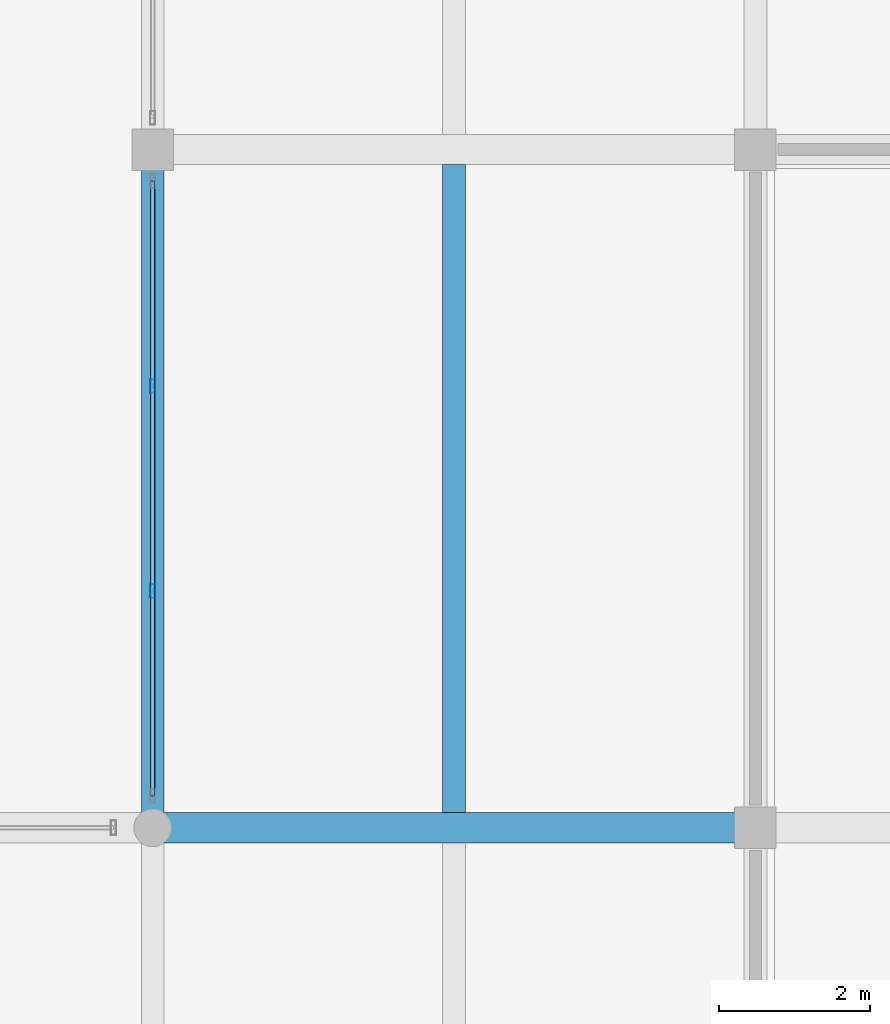
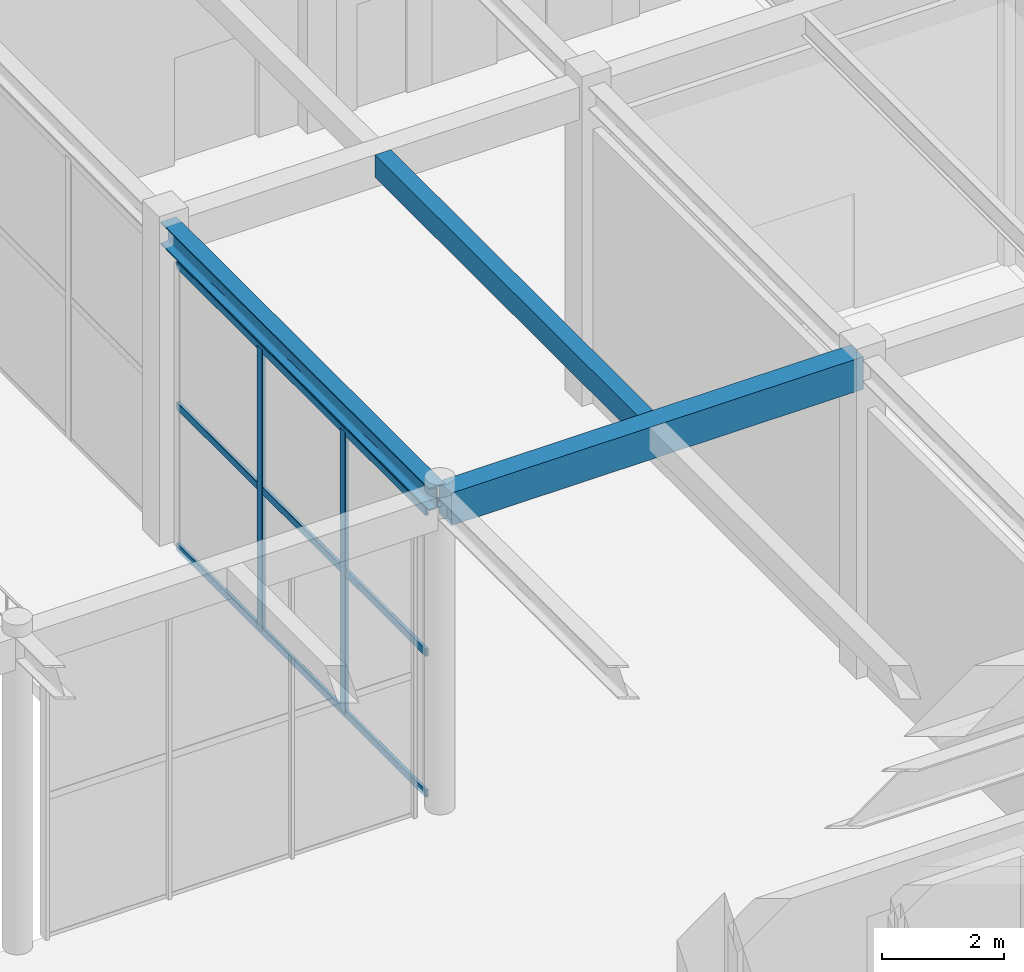
# One storey, part 82 of 163: 5 members, 3 beams, 1 element without a shape of its own.
"""IFC4 building model written with IfcOpenShell, lengths in metres."""

import ifcopenshell
import ifcopenshell.guid

model = None  # the IFC model being written
_history = None  # IfcOwnerHistory: only IFC2X3 demands one
_inside = {}  # id of a spatial element -> (the spatial element, [elements in it])
_under = {}  # id of a project, library or spatial element -> (it, [spatial elements below it])
_declared = {}  # id of a project -> (the project, [libraries it declares])
_typed = {}  # id of a type object -> (the type object, [elements of that type])
_made_of = {}  # id of a material, layer set ... -> (it, [elements and type objects made of it])


def new_model(schema):
    """Start an empty IFC model of exactly this schema.

    Asked for "IFC4X3", IfcOpenShell would pick the latest addendum, in which some entities
    have other attributes; the version numbers below select the first issue.
    IFC2X3 requires an IfcOwnerHistory on every rooted entity: one is made here for all.
    """
    global model, _history
    if schema == "IFC4X3":
        model = ifcopenshell.file(schema_version=(4, 3, 0, 0))
    else:
        model = ifcopenshell.file(schema=schema)
    _inside.clear()
    _under.clear()
    _declared.clear()
    _typed.clear()
    _made_of.clear()
    _history = None
    if model.schema == "IFC2X3":
        org = make("IfcOrganization", Name="unknown")
        user = make(
            "IfcPersonAndOrganization",
            ThePerson=make("IfcPerson", FamilyName="unknown"),
            TheOrganization=org,
        )
        app = make(
            "IfcApplication",
            ApplicationDeveloper=org,
            Version="unknown",
            ApplicationFullName="unknown",
            ApplicationIdentifier="unknown",
        )
        _history = make(
            "IfcOwnerHistory",
            OwningUser=user,
            OwningApplication=app,
            ChangeAction="ADDED",
            CreationDate=0,
        )
    return model


def make(cls, **values):
    """One entity of the class cls with the attributes given. An attribute that is None is left unset."""
    return model.create_entity(
        cls, **{name: value for name, value in values.items() if value is not None}
    )


def rooted(cls, **values):
    """An entity with a GlobalId (a new one), such as an element, a storey or a relation."""
    return make(cls, GlobalId=ifcopenshell.guid.new(), OwnerHistory=_history, **values)


def si_unit(unit_type, name, prefix=None):
    """IfcSIUnit, for example si_unit("LENGTHUNIT", "METRE", prefix="MILLI")."""
    return make("IfcSIUnit", UnitType=unit_type, Prefix=prefix, Name=name)


def assignment(units):
    """IfcUnitAssignment: the units of a project."""
    return None if units is None else make("IfcUnitAssignment", Units=units)


def point(xyz):
    """IfcCartesianPoint."""
    return None if xyz is None else make("IfcCartesianPoint", Coordinates=xyz)


def direction(xyz):
    """IfcDirection."""
    return None if xyz is None else make("IfcDirection", DirectionRatios=xyz)


def frame(location, z_axis=None, x_axis=None):
    """IfcAxis2Placement3D, a coordinate frame: its origin and axes. An axis left out is left unset."""
    return make(
        "IfcAxis2Placement3D",
        Location=point(location),
        Axis=direction(z_axis),
        RefDirection=direction(x_axis),
    )


def frame_2d(location, x_axis=None):
    """IfcAxis2Placement2D, a coordinate frame in the plane: its origin and x axis."""
    return make(
        "IfcAxis2Placement2D", Location=point(location), RefDirection=direction(x_axis)
    )


def origin():
    """The frame at (0, 0, 0) with its axes left unset."""
    return frame((0.0, 0.0, 0.0))


def origin_2d():
    """The frame at (0, 0) in the plane with its x axis left unset."""
    return frame_2d((0.0, 0.0))


def place(relative_to, where):
    """IfcLocalPlacement: puts the frame where relative to a parent placement (None: the world)."""
    return make(
        "IfcLocalPlacement", PlacementRelTo=relative_to, RelativePlacement=where
    )


def context(
    kind, dimensions, precision=None, world=None, true_north=None, identifier=None
):
    """IfcGeometricRepresentationContext, for example the 3D "Model" context."""
    return make(
        "IfcGeometricRepresentationContext",
        ContextIdentifier=identifier,
        ContextType=kind,
        CoordinateSpaceDimension=dimensions,
        Precision=precision,
        WorldCoordinateSystem=world,
        TrueNorth=true_north,
    )


def subcontext(parent, identifier, kind, view, scale=None):
    """IfcGeometricRepresentationSubContext, for example "Body" below "Model"."""
    return make(
        "IfcGeometricRepresentationSubContext",
        ContextIdentifier=identifier,
        ContextType=kind,
        ParentContext=parent,
        TargetScale=scale,
        TargetView=view,
    )


def project(units=None, contexts=None):
    """IfcProject with its units and contexts."""
    return rooted(
        "IfcProject",
        Name="project",
        RepresentationContexts=contexts,
        UnitsInContext=assignment(units),
    )


def spatial(cls, under=None, at=None, **own):
    """A site, building, storey or space (cls), placed at a placement, below another one or the project."""
    s = rooted(cls, ObjectPlacement=at, **own)
    if under is not None:
        _under.setdefault(under.id(), (under, []))[1].append(s)
    return s


def profile(cls, at=None, kind="AREA", **sizes):
    """A parametric profile (cls). Its sizes go by their IFC names, for example OverallWidth=200.0."""
    return make(cls, ProfileType=kind, Position=at, **sizes)


def rectangle(**sizes):
    """IfcRectangleProfileDef."""
    return profile("IfcRectangleProfileDef", **sizes)


def hollow_rectangle(**sizes):
    """IfcRectangleHollowProfileDef."""
    return profile("IfcRectangleHollowProfileDef", **sizes)


def i_section(**sizes):
    """IfcIShapeProfileDef."""
    return profile("IfcIShapeProfileDef", **sizes)


def extrude(swept, where, along, depth):
    """IfcExtrudedAreaSolid: the profile swept, set in the frame where, extruded along a direction by depth."""
    return make(
        "IfcExtrudedAreaSolid",
        SweptArea=swept,
        Position=where,
        ExtrudedDirection=direction(along),
        Depth=depth,
    )


def shape(context_of_items, identifier, shape_type, items):
    """IfcShapeRepresentation: the items that make up one representation, for example the "Body"."""
    return make(
        "IfcShapeRepresentation",
        ContextOfItems=context_of_items,
        RepresentationIdentifier=identifier,
        RepresentationType=shape_type,
        Items=items,
    )


def material(Name=None, Category=None):
    """IfcMaterial."""
    return make("IfcMaterial", Name=Name, Category=Category)


def material_profile(
    of_material, cross_section, Name=None, Category=None, Priority=None
):
    """IfcMaterialProfile: a cross section and its material."""
    return make(
        "IfcMaterialProfile",
        Name=Name,
        Material=of_material,
        Profile=cross_section,
        Priority=Priority,
        Category=Category,
    )


def profile_set(profiles, Name=None, composite=None):
    """IfcMaterialProfileSet."""
    return make(
        "IfcMaterialProfileSet",
        Name=Name,
        MaterialProfiles=profiles,
        CompositeProfile=composite,
    )


def made_of(thing, what):
    """Note that an element or type object is made of a material, layer set ...; save() writes the relation."""
    if what is not None:
        _made_of.setdefault(what.id(), (what, []))[1].append(thing)
    return thing


def type_object(cls, material=None, **own):
    """A type object (cls), such as IfcWallType, which elements share."""
    return made_of(rooted(cls, **own), material)


def element(
    cls,
    number,
    at=None,
    inside=None,
    cuts=None,
    type_object=None,
    material=None,
    context=None,
    identifier="Body",
    shape_type=None,
    held_by="IfcProductDefinitionShape",
    body=None,
    shapes=None,
    **own,
):
    """One element of the class cls, such as IfcWall. Its Tag is "e" and its number.

    at: its placement. inside: the storey or other place that contains it. cuts: it is an
    opening in that element (IfcRelVoidsElement). A single representation is given by context,
    identifier, shape_type and body (its items); several are given by shapes. held_by: the class
    of the entity that holds the representations. save() writes the other relations.
    """
    e = rooted(cls, Tag="e%d" % number, ObjectPlacement=at, **own)
    if body is not None:
        shapes = [shape(context, identifier, shape_type, body)]
    if shapes is not None:
        e.Representation = make(held_by, Representations=shapes)
    if inside is not None:
        _inside.setdefault(inside.id(), (inside, []))[1].append(e)
    if cuts is not None:
        rooted(
            "IfcRelVoidsElement", RelatingBuildingElement=cuts, RelatedOpeningElement=e
        )
    if type_object is not None:
        _typed.setdefault(type_object.id(), (type_object, []))[1].append(e)
    return made_of(e, material)


def aggregate(whole, parts):
    """IfcRelAggregates: a whole, such as a stair, and the parts it consists of."""
    return rooted("IfcRelAggregates", RelatingObject=whole, RelatedObjects=parts)


def save(model, path):
    """Write the relations noted so far, then the file.

    IfcRelAggregates (storeys below a building ...), IfcRelContainedInSpatialStructure (elements
    in a storey), IfcRelDefinesByType, IfcRelAssociatesMaterial and IfcRelDeclares: one each for
    every whole, place, type object, material and project.
    """
    for whole, parts in _under.values():
        aggregate(whole, parts)
    for where, things in _inside.values():
        rooted(
            "IfcRelContainedInSpatialStructure",
            RelatedElements=things,
            RelatingStructure=where,
        )
    for kind, things in _typed.values():
        rooted("IfcRelDefinesByType", RelatedObjects=things, RelatingType=kind)
    for what, things in _made_of.values():
        rooted("IfcRelAssociatesMaterial", RelatedObjects=things, RelatingMaterial=what)
    for by, libraries in _declared.values():
        rooted("IfcRelDeclares", RelatingContext=by, RelatedDefinitions=libraries)
    model.write(path)


model = new_model("IFC4")

# Units and contexts
model_context = context("Model", 3, precision=1e-05, world=origin(), true_north=direction((0.0, 1.0)))
body_context = subcontext(model_context, "Body", "Model", "MODEL_VIEW")
ifc_project = project(units=[si_unit("LENGTHUNIT", "METRE"), si_unit("AREAUNIT", "SQUARE_METRE"), si_unit("VOLUMEUNIT", "CUBIC_METRE"), si_unit("PLANEANGLEUNIT", "RADIAN"), si_unit("MASSUNIT", "GRAM", prefix="KILO")], contexts=[model_context])

# Site, building, storey
site_placement = place(None, origin())
site = spatial("IfcSite", under=ifc_project, at=site_placement, CompositionType="ELEMENT")
building_placement = place(site_placement, origin())
building = spatial("IfcBuilding", under=site, at=building_placement, Name="Varnabhumi Central Station", CompositionType="ELEMENT")
storey_placement = place(building_placement, frame((0.0, 0.0, 9.60009765625)))
storey = spatial("IfcBuildingStorey", under=building, at=storey_placement, Name="L02", CompositionType="ELEMENT", Elevation=9.60009765625)

# Beams
ifc_material_1 = material(Name="Concrete M40", Category="concrete")
ifc_material_profile_1 = material_profile(ifc_material_1, rectangle(XDim=0.300048828125, YDim=0.449951171875, at=origin_2d()), Name="Concrete M40", Category="concrete")
ifc_profile_set_1 = profile_set([ifc_material_profile_1], Name="Concrete M40")
beam_type_1 = type_object("IfcBeamType", Name="BM-RC-300x450", PredefinedType="JOIST", material=ifc_profile_set_1)
beam_1_placement = place(storey_placement, frame((84.0, 89.199951171875, 6.125), z_axis=(0.0, 1.0, 0.0), x_axis=(-1.0, 0.0, 0.0)))
element("IfcBeam", 1, at=beam_1_placement, inside=storey, type_object=beam_type_1, Name="Secondary Joist L02-11/12:L-M", PredefinedType="JOIST", context=body_context, shape_type="SweptSolid", body=[
    extrude(rectangle(XDim=0.300048828125, YDim=0.449951171875, at=origin_2d()), origin(), (0.0, 0.0, 1.0), 8.60009765625),
])
ifc_material_profile_2 = material_profile(ifc_material_1, rectangle(XDim=0.39990234375, YDim=0.64990234375, at=origin_2d()), Name="Concrete M40", Category="concrete")
ifc_profile_set_2 = profile_set([ifc_material_profile_2], Name="Concrete M40")
beam_type_2 = type_object("IfcBeamType", Name="BM-RC-400x650", PredefinedType="BEAM", material=ifc_profile_set_2)
beam_2_placement = place(storey_placement, frame((80.10009765625, 89.0, 6.02490234375), z_axis=(1.0, 0.0, 0.0), x_axis=(0.0, 1.0, 0.0)))
element("IfcBeam", 2, at=beam_2_placement, inside=storey, type_object=beam_type_2, Name="Beam L02-L:11-12", PredefinedType="BEAM", context=body_context, shape_type="SweptSolid", body=[
    extrude(rectangle(XDim=0.39990234375, YDim=0.64990234375, at=origin_2d()), origin(), (0.0, 0.0, 1.0), 7.7998046875),
])
ifc_material_2 = material(Name="Structural steel E350", Category="steel")
ifc_material_profile_3 = material_profile(ifc_material_2, i_section(OverallWidth=0.300048828125, OverallDepth=0.449951171875, WebThickness=0.013916015625, FlangeThickness=0.02587890625, FilletRadius=0.027099609375, at=origin_2d()), Name="Structural steel E350", Category="steel")
ifc_profile_set_3 = profile_set([ifc_material_profile_3], Name="Structural steel E350")
beam_type_3 = type_object("IfcBeamType", Name="BM-STL-WPB450", PredefinedType="BEAM", material=ifc_profile_set_3)
beam_3_placement = place(storey_placement, frame((80.0, 89.10009765625, 6.125), z_axis=(0.0, 1.0, 0.0), x_axis=(-1.0, 0.0, 0.0)))
element("IfcBeam", 3, at=beam_3_placement, inside=storey, type_object=beam_type_3, Name="Beam L02-11:L-M", PredefinedType="BEAM", context=body_context, shape_type="SweptSolid", body=[
    extrude(i_section(OverallWidth=0.300048828125, OverallDepth=0.449951171875, WebThickness=0.013916015625, FlangeThickness=0.02587890625, FilletRadius=0.027099609375, at=origin_2d()), origin(), (0.0, 0.0, 1.0), 8.7998046875),
])

# Curtain wall, members
ifc_material_3 = material(Name="Anodised aluminium 6063-T6", Category="aluminium")
curtain_wall_type = type_object("IfcCurtainWallType", Name="CW-PATIO-LOGGIA-L2", PredefinedType="NOTDEFINED", material=ifc_material_3)
curtain_wall_placement = place(storey_placement, origin())
curtain_wall = element("IfcCurtainWall", 4, at=curtain_wall_placement, inside=storey, type_object=curtain_wall_type, Name="Curtain Wall CW-NP2W1", PredefinedType="NOTDEFINED")
ifc_material_profile_4 = material_profile(ifc_material_3, hollow_rectangle(XDim=0.06494140625, YDim=0.179931640625, WallThickness=0.00390625, InnerFilletRadius=0.001953125, OuterFilletRadius=0.006103515625, at=origin_2d()), Name="Anodised aluminium 6063-T6", Category="aluminium")
ifc_profile_set_4 = profile_set([ifc_material_profile_4], Name="Anodised aluminium 6063-T6")
member_type_1 = type_object("IfcMemberType", Name="CW-MUL-180", PredefinedType="MULLION", material=ifc_profile_set_4)
member_1_placement = place(storey_placement, frame((80.0, 92.139892578125, 0.0), z_axis=(0.0, 0.0, 1.0), x_axis=(1.0, 0.0, 0.0)))
member_1 = element("IfcMember", 5, at=member_1_placement, type_object=member_type_1, Name="Curtain Wall Mullion CW-NP2W1-M2", PredefinedType="MULLION", context=body_context, shape_type="SweptSolid", body=[
    extrude(hollow_rectangle(XDim=0.06494140625, YDim=0.179931640625, WallThickness=0.00390625, InnerFilletRadius=0.001953125, OuterFilletRadius=0.006103515625, at=origin_2d()), origin(), (0.0, 0.0, 1.0), 5.639892578125),
])
member_2_placement = place(storey_placement, frame((80.0, 94.860107421875, 0.0), z_axis=(0.0, 0.0, 1.0), x_axis=(1.0, 0.0, 0.0)))
member_2 = element("IfcMember", 6, at=member_2_placement, type_object=member_type_1, Name="Curtain Wall Mullion CW-NP2W1-M3", PredefinedType="MULLION", context=body_context, shape_type="SweptSolid", body=[
    extrude(hollow_rectangle(XDim=0.06494140625, YDim=0.179931640625, WallThickness=0.00390625, InnerFilletRadius=0.001953125, OuterFilletRadius=0.006103515625, at=origin_2d()), origin(), (0.0, 0.0, 1.0), 5.639892578125),
])
ifc_material_profile_5 = material_profile(ifc_material_3, hollow_rectangle(XDim=0.06005859375, YDim=0.14990234375, WallThickness=0.00390625, InnerFilletRadius=0.001953125, OuterFilletRadius=0.006103515625, at=origin_2d()), Name="Anodised aluminium 6063-T6", Category="aluminium")
ifc_profile_set_5 = profile_set([ifc_material_profile_5], Name="Anodised aluminium 6063-T6")
member_type_2 = type_object("IfcMemberType", Name="CW-TR-150", PredefinedType="USERDEFINED", material=ifc_profile_set_5)
member_3_placement = place(storey_placement, frame((80.0, 89.419921875, 0.0), z_axis=(0.0, 1.0, 0.0), x_axis=(-1.0, 0.0, 0.0)))
member_3 = element("IfcMember", 7, at=member_3_placement, type_object=member_type_2, Name="Curtain Wall Transom CW-NP2W1-T1", ObjectType="TRANSOM", PredefinedType="USERDEFINED", context=body_context, shape_type="SweptSolid", body=[
    extrude(hollow_rectangle(XDim=0.06005859375, YDim=0.14990234375, WallThickness=0.00390625, InnerFilletRadius=0.001953125, OuterFilletRadius=0.006103515625, at=origin_2d()), origin(), (0.0, 0.0, 1.0), 8.16015625),
])
member_4_placement = place(storey_placement, frame((80.0, 89.419921875, 2.81982421875), z_axis=(0.0, 1.0, 0.0), x_axis=(-1.0, 0.0, 0.0)))
member_4 = element("IfcMember", 8, at=member_4_placement, type_object=member_type_2, Name="Curtain Wall Transom CW-NP2W1-T2", ObjectType="TRANSOM", PredefinedType="USERDEFINED", context=body_context, shape_type="SweptSolid", body=[
    extrude(hollow_rectangle(XDim=0.06005859375, YDim=0.14990234375, WallThickness=0.00390625, InnerFilletRadius=0.001953125, OuterFilletRadius=0.006103515625, at=origin_2d()), origin(), (0.0, 0.0, 1.0), 8.16015625),
])
member_5_placement = place(storey_placement, frame((80.0, 89.419921875, 5.639892578125), z_axis=(0.0, 1.0, 0.0), x_axis=(-1.0, 0.0, 0.0)))
member_5 = element("IfcMember", 9, at=member_5_placement, type_object=member_type_2, Name="Curtain Wall Transom CW-NP2W1-T3", ObjectType="TRANSOM", PredefinedType="USERDEFINED", context=body_context, shape_type="SweptSolid", body=[
    extrude(hollow_rectangle(XDim=0.06005859375, YDim=0.14990234375, WallThickness=0.00390625, InnerFilletRadius=0.001953125, OuterFilletRadius=0.006103515625, at=origin_2d()), origin(), (0.0, 0.0, 1.0), 8.16015625),
])
aggregate(curtain_wall, [member_1, member_2, member_3, member_4, member_5])

save(model, "model.ifc")
